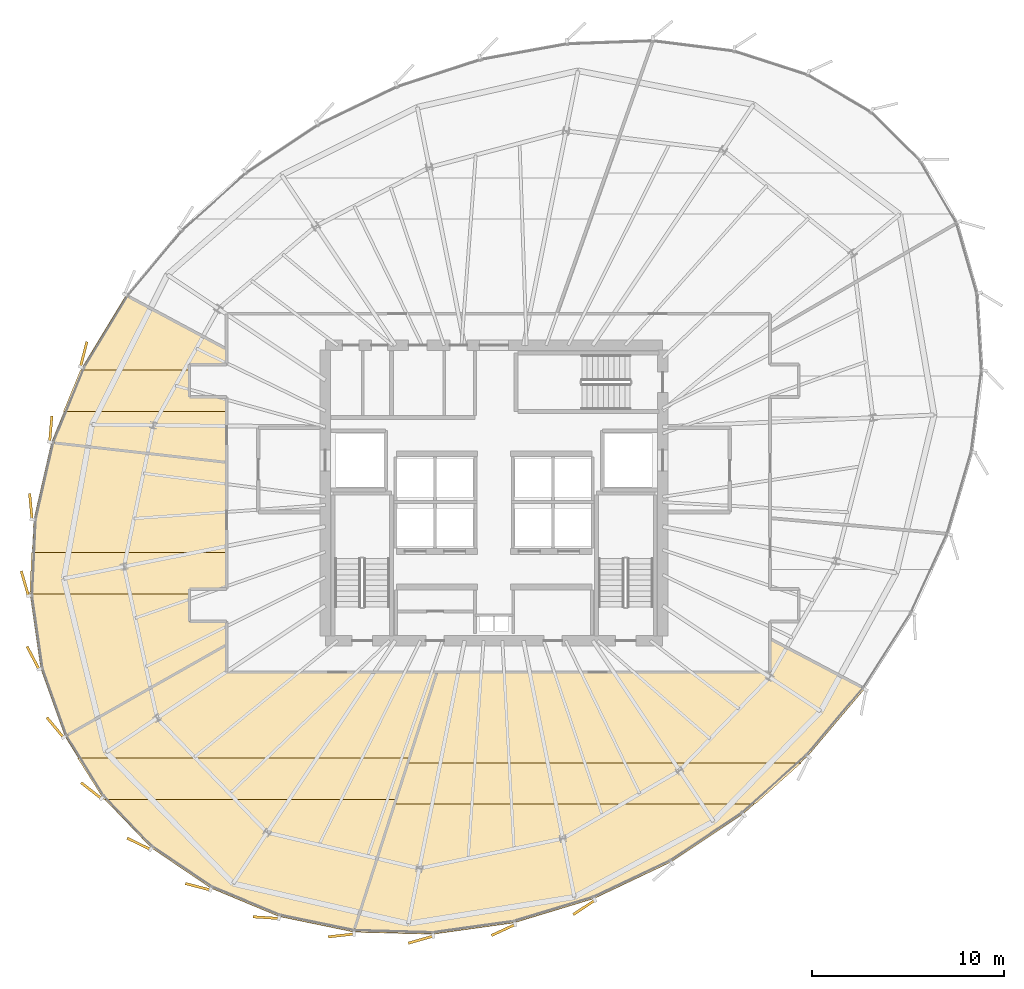
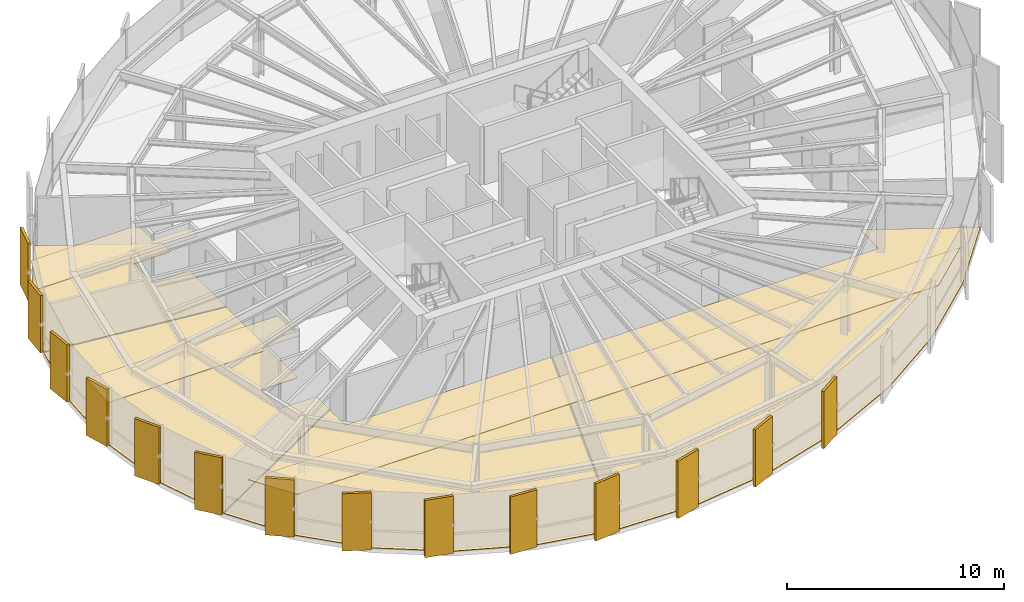
# One storey, part 32 of 34: 22 coverings.
"""IFC4 building model written with IfcOpenShell, lengths in metres."""

from ifc_helpers import new_model, si_unit, direction, frame, origin, origin_2d, place, context, subcontext, project, spatial, polyline, rectangle, outline, extrude, source, transform, mapped, material, layer, layer_set, type_object, element, save


model = new_model("IFC4")

# Units and contexts
model_context = context("Model", 3, precision=1e-05, world=origin(), true_north=direction((0.0, 1.0)))
body_context = subcontext(model_context, "Body", "Model", "MODEL_VIEW")
ifc_project = project(units=[si_unit("LENGTHUNIT", "METRE"), si_unit("AREAUNIT", "SQUARE_METRE"), si_unit("VOLUMEUNIT", "CUBIC_METRE"), si_unit("PLANEANGLEUNIT", "RADIAN"), si_unit("MASSUNIT", "GRAM", prefix="KILO"), si_unit("THERMODYNAMICTEMPERATUREUNIT", "KELVIN")], contexts=[model_context])

# Site, building, storey
site_placement = place(None, origin())
site = spatial("IfcSite", under=ifc_project, at=site_placement, CompositionType="ELEMENT")
building_placement = place(site_placement, origin())
building = spatial("IfcBuilding", under=site, at=building_placement, Name="Kethvar Cultural Tower", CompositionType="ELEMENT")
storey_placement = place(building_placement, frame((0.0, 0.0, 186.89990234375)))
storey = spatial("IfcBuildingStorey", under=building, at=storey_placement, Name="L48", CompositionType="ELEMENT", Elevation=186.89990234375)

# Coverings
ifc_material_1 = material(Name="Acoustic Mineral Fibre Ceiling")
ifc_layer_1 = layer(ifc_material_1, 0.0400390625, Name="Acoustic Mineral Fibre Ceiling")
ifc_layer_set_1 = layer_set([ifc_layer_1], Name="Acoustic Mineral Fibre Ceiling (40 mm)")
covering_type_1 = type_object("IfcCoveringType", Name="CV-ACOUSTIC-CEIL", PredefinedType="CEILING", material=ifc_layer_set_1)
covering_1_placement = place(storey_placement, frame((0.0, 0.0, 2.340087890625)))
element("IfcCovering", 1, at=covering_1_placement, inside=storey, type_object=covering_type_1, Name="L48 Room 01 Acoustic Ceiling Panel", PredefinedType="CEILING", context=body_context, shape_type="SweptSolid", body=[
    extrude(outline(polyline([(26.443115234375, 11.81201171875), (25.075927734375, 13.9619140625), (42.410888671875, 13.9619140625), (41.7255859375, 11.81201171875), (26.443115234375, 11.81201171875)])), origin(), (0.0, 0.0, 1.0), 0.0400390625),
])
covering_2_placement = place(storey_placement, frame((0.0, 0.0, 2.340087890625)))
element("IfcCovering", 2, at=covering_2_placement, inside=storey, type_object=covering_type_1, Name="L48 Room 02 Acoustic Ceiling Panel", PredefinedType="CEILING", context=body_context, shape_type="SweptSolid", body=[
    extrude(outline(polyline([(60.423095703125, 11.564208984375), (41.604736328125, 11.564208984375), (42.289794921875, 13.714111328125), (62.8212890625, 13.714111328125), (60.423095703125, 11.564208984375)])), origin(), (0.0, 0.0, 1.0), 0.0400390625),
])
covering_3_placement = place(storey_placement, frame((0.0, 0.0, 2.340087890625)))
element("IfcCovering", 3, at=covering_3_placement, inside=storey, type_object=covering_type_1, Name="L48 Room 07 Acoustic Ceiling Panel", PredefinedType="CEILING", context=body_context, shape_type="SweptSolid", body=[
    extrude(outline(polyline([(30.919921875, 32.820068359375), (32.857666015625, 32.818603515625), (32.8701171875, 32.058349609375), (24.3349609375, 32.058349609375), (25.218505859375, 34.20849609375), (30.919921875, 34.20849609375), (30.919921875, 32.820068359375)])), origin(), (0.0, 0.0, 1.0), 0.0400390625),
])
covering_4_placement = place(storey_placement, frame((0.0, 0.0, 2.340087890625)))
element("IfcCovering", 4, at=covering_4_placement, inside=storey, type_object=covering_type_1, Name="L48 Room 08 Acoustic Ceiling Panel", PredefinedType="CEILING", context=body_context, shape_type="SweptSolid", body=[
    extrude(outline(polyline([(22.674072265625, 24.690185546875), (32.8701171875, 24.690185546875), (32.86962890625, 22.796142578125), (30.919921875, 22.780029296875), (30.919921875, 22.540283203125), (22.57275390625, 22.540283203125), (22.674072265625, 24.690185546875)])), origin(), (0.0, 0.0, 1.0), 0.0400390625),
])
ifc_material_2 = material(Name="Architectural Oak Timber", Category="wood")
ifc_layer_2 = layer(ifc_material_2, 0.02490234375, Name="Architectural Oak Timber", Category="wood")
ifc_layer_set_2 = layer_set([ifc_layer_2], Name="Architectural Oak Timber (25 mm)")
covering_type_2 = type_object("IfcCoveringType", Name="CV-OAK-FLOOR", PredefinedType="FLOORING", material=ifc_layer_set_2)
covering_5_placement = place(storey_placement, origin())
element("IfcCovering", 5, at=covering_5_placement, inside=storey, type_object=covering_type_2, Name="L48 Room 01 Floor Finish", PredefinedType="FLOORING", context=body_context, shape_type="SweptSolid", body=[
    extrude(outline(polyline([(35.59765625, 5.69970703125), (32.04052734375, 7.17822265625), (28.931884765625, 9.282958984375), (26.3662109375, 11.94970703125), (24.430908203125, 15.08251953125), (32.830078125, 19.84912109375), (32.847900390625, 18.43017578125), (43.792724609375, 18.429931640625), (39.4794921875, 4.89599609375), (35.59765625, 5.69970703125)])), origin(), (0.0, 0.0, 1.0), 0.025146484375),
])
covering_6_placement = place(storey_placement, origin())
element("IfcCovering", 6, at=covering_6_placement, inside=storey, type_object=covering_type_2, Name="L48 Room 02 Floor Finish", PredefinedType="FLOORING", context=body_context, shape_type="SweptSolid", body=[
    extrude(outline(polyline([(63.16650390625, 14.077392578125), (59.791259765625, 11.051513671875), (56.045166015625, 8.553466796875), (52.01806640625, 6.64013671875), (47.832275390625, 5.3701171875), (43.615478515625, 4.78173828125), (39.520263671875, 4.89208984375), (43.834716796875, 18.429931640625), (61.201904296875, 18.43017578125), (61.219970703125, 20.1533203125), (66.112060546875, 17.566650390625), (63.16650390625, 14.077392578125)])), origin(), (0.0, 0.0, 1.0), 0.025146484375),
])
covering_7_placement = place(storey_placement, origin())
element("IfcCovering", 7, at=covering_7_placement, inside=storey, type_object=covering_type_2, Name="L48 Room 07 Floor Finish", PredefinedType="FLOORING", context=body_context, shape_type="SweptSolid", body=[
    extrude(outline(polyline([(25.33154296875, 34.3779296875), (27.593505859375, 38.101318359375), (32.830078125, 35.28662109375), (32.830078125, 34.52001953125), (30.8798828125, 34.5), (30.88720703125, 32.784423828125), (32.830078125, 32.780029296875), (32.830078125, 29.419921875), (23.722412109375, 30.462890625), (25.33154296875, 34.3779296875)])), origin(), (0.0, 0.0, 1.0), 0.025146484375),
])
covering_8_placement = place(storey_placement, origin())
element("IfcCovering", 8, at=covering_8_placement, inside=storey, type_object=covering_type_2, Name="L48 Room 08 Floor Finish", PredefinedType="FLOORING", context=body_context, shape_type="SweptSolid", body=[
    extrude(outline(polyline([(23.155517578125, 18.6328125), (22.6083984375, 22.44580078125), (22.7958984375, 26.421875), (23.709228515625, 30.424072265625), (32.830078125, 29.379638671875), (32.830078125, 22.820068359375), (30.8798828125, 22.800048828125), (30.88330078125, 21.0888671875), (32.830078125, 21.080078125), (32.830078125, 19.89501953125), (24.413818359375, 15.11865234375), (23.155517578125, 18.6328125)])), origin(), (0.0, 0.0, 1.0), 0.025146484375),
])
ifc_material_3 = material(Name="Extruded Architectural Terracotta", Category="masonry")
ifc_layer_3 = layer(ifc_material_3, 0.135009765625, Name="Extruded Architectural Terracotta", Category="masonry")
ifc_layer_set_3 = layer_set([ifc_layer_3], Name="Extruded Architectural Terracotta (135 mm)")
covering_type_3 = type_object("IfcCoveringType", Name="Terracotta Facade Fin FIN-03", PredefinedType="CLADDING", material=ifc_layer_set_3)
shared_shape = source(origin(), body_context, "Body", "SweptSolid", [
    extrude(rectangle(XDim=1.35009765625, YDim=0.135009765625, at=origin_2d()), origin(), (0.0, 0.0, 1.0), 3.219970703125),
])
for number, where, z_axis, x_axis, name in (
    (9, (25.391845703125, 35.035400390625, 0.02001953125), (0.0, 0.0, 1.0), (0.247675453076, 0.968843057437, 0.0), "L48 Vertical Terracotta Fin 3.1"),
    (10, (23.673095703125, 31.13623046875, 0.02001953125), (0.0, 0.0, 1.0), (0.084721322142, 0.996404685645, 0.0), "L48 Vertical Terracotta Fin 3.2"),
    (11, (22.6337890625, 27.100341796875, 0.02001953125), (0.0, 0.0, 1.0), (-0.092370587447, 0.995724698185, 0.0), "L48 Vertical Terracotta Fin 3.3"),
    (12, (22.321044921875, 23.081787109375, 0.02001953125), (0.0, 0.0, 1.0), (-0.278488259221, 0.960439633437, 0.0), "L48 Vertical Terracotta Fin 3.4"),
    (13, (22.7470703125, 19.198486328125, 0.02001953125), (0.0, 0.0, 1.0), (-0.464842045725, 0.885393625754, 0.0), "L48 Vertical Terracotta Fin 3.5"),
    (14, (23.903564453125, 15.56689453125, 0.02001953125), (0.0, 0.0, 1.0), (-0.638902093341, 0.769288057313, 0.0), "L48 Vertical Terracotta Fin 3.6"),
    (15, (25.78857421875, 12.2705078125, 0.02001953125), (0.0, 0.0, 1.0), (-0.7868273169, 0.617173211813, 0.0), "L48 Vertical Terracotta Fin 4.1"),
    (16, (28.26806640625, 9.498291015625, 0.02001953125), (0.0, 0.0, 1.0), (-0.898027575761, 0.439939169856, 0.0), "L48 Vertical Terracotta Fin 4.2"),
    (17, (31.346923828125, 7.256591796875, 0.02001953125), (0.0, 0.0, 1.0), (-0.967841021032, 0.251562632376, 0.0), "L48 Vertical Terracotta Fin 4.3"),
    (18, (34.902099609375, 5.645751953125, 0.02001953125), (0.0, 0.0, 1.0), (-0.997915618272, 0.064532308253, 0.0), "L48 Vertical Terracotta Fin 4.4"),
    (19, (38.8203125, 4.716796875, 0.02001953125), (0.0, 0.0, 1.0), (-0.993650644295, -0.112509542228, 0.0), "L48 Vertical Terracotta Fin 4.5"),
    (20, (42.978515625, 4.4970703125, 0.02001953125), (0.0, 0.0, 1.0), (-0.961549815579, -0.274630573972, 0.0), "L48 Vertical Terracotta Fin 4.6"),
    (21, (47.284912109375, 5.001220703125, 0.02001953125), (0.0, 0.0, 1.0), (-0.907190928252, -0.420719169633, 0.0), "L48 Vertical Terracotta Fin 5.1"),
    (22, (51.49609375, 6.177490234375, 0.02001953125), (0.0, 0.0, 1.0), (-0.834751773535, -0.55062644014, 0.0), "L48 Vertical Terracotta Fin 5.2"),
):
    element("IfcCovering", number, at=place(storey_placement, frame(where, z_axis=z_axis, x_axis=x_axis)), inside=storey, type_object=covering_type_3, Name=name, PredefinedType="CLADDING", context=body_context, shape_type="MappedRepresentation", body=[
        mapped(shared_shape, transform((0.0, 0.0, 0.0), scale=1.0)),
    ])

save(model, "model.ifc")
